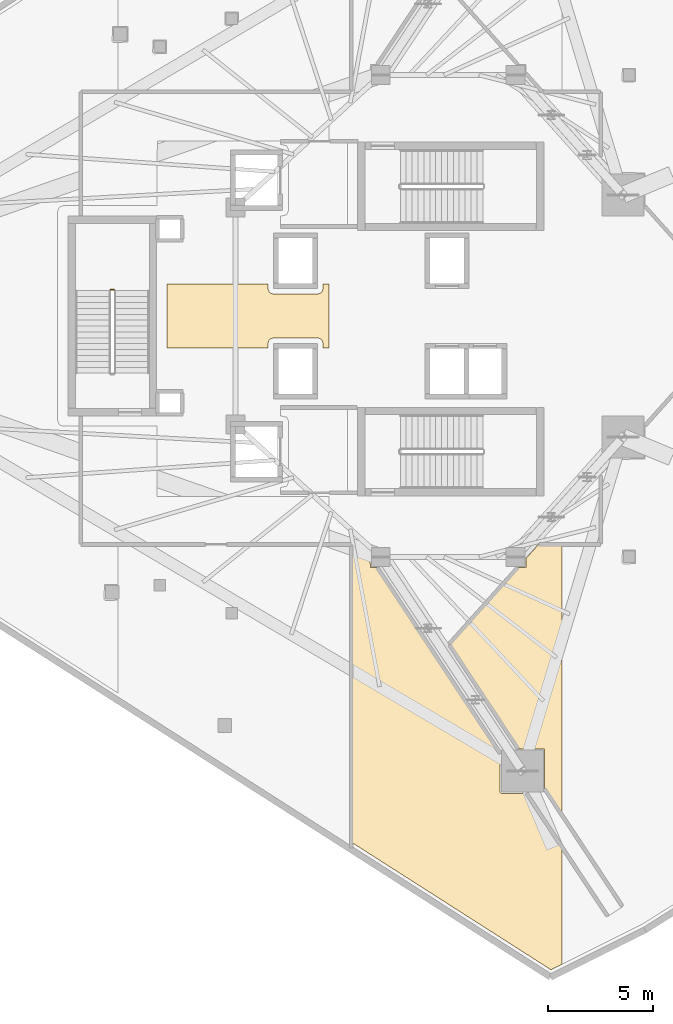
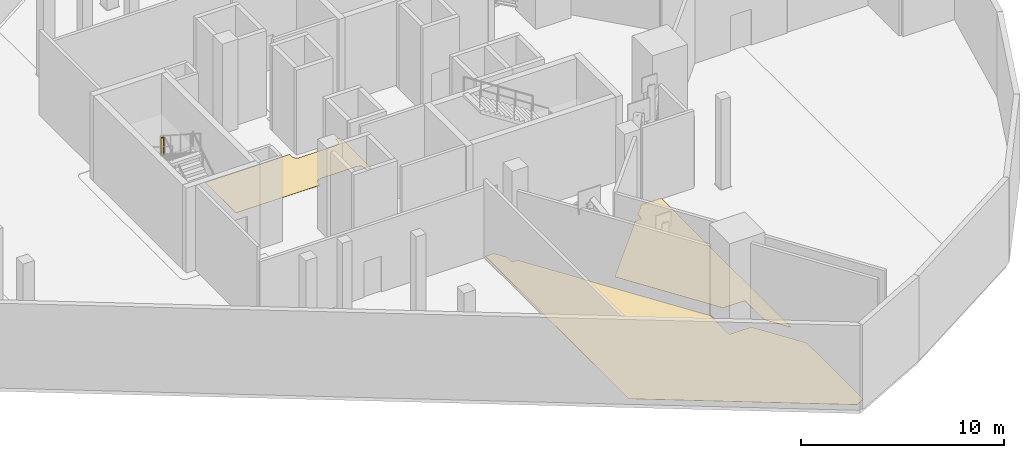
# One storey, part 10 of 13: 3 coverings, 1 railing.
"""IFC4 building model written with IfcOpenShell, lengths in metres."""

import ifcopenshell
import ifcopenshell.guid

model = None  # the IFC model being written
_history = None  # IfcOwnerHistory: only IFC2X3 demands one
_inside = {}  # id of a spatial element -> (the spatial element, [elements in it])
_under = {}  # id of a project, library or spatial element -> (it, [spatial elements below it])
_declared = {}  # id of a project -> (the project, [libraries it declares])
_typed = {}  # id of a type object -> (the type object, [elements of that type])
_made_of = {}  # id of a material, layer set ... -> (it, [elements and type objects made of it])


def new_model(schema):
    """Start an empty IFC model of exactly this schema.

    Asked for "IFC4X3", IfcOpenShell would pick the latest addendum, in which some entities
    have other attributes; the version numbers below select the first issue.
    IFC2X3 requires an IfcOwnerHistory on every rooted entity: one is made here for all.
    """
    global model, _history
    if schema == "IFC4X3":
        model = ifcopenshell.file(schema_version=(4, 3, 0, 0))
    else:
        model = ifcopenshell.file(schema=schema)
    _inside.clear()
    _under.clear()
    _declared.clear()
    _typed.clear()
    _made_of.clear()
    _history = None
    if model.schema == "IFC2X3":
        org = make("IfcOrganization", Name="unknown")
        user = make(
            "IfcPersonAndOrganization",
            ThePerson=make("IfcPerson", FamilyName="unknown"),
            TheOrganization=org,
        )
        app = make(
            "IfcApplication",
            ApplicationDeveloper=org,
            Version="unknown",
            ApplicationFullName="unknown",
            ApplicationIdentifier="unknown",
        )
        _history = make(
            "IfcOwnerHistory",
            OwningUser=user,
            OwningApplication=app,
            ChangeAction="ADDED",
            CreationDate=0,
        )
    return model


def make(cls, **values):
    """One entity of the class cls with the attributes given. An attribute that is None is left unset."""
    return model.create_entity(
        cls, **{name: value for name, value in values.items() if value is not None}
    )


def rooted(cls, **values):
    """An entity with a GlobalId (a new one), such as an element, a storey or a relation."""
    return make(cls, GlobalId=ifcopenshell.guid.new(), OwnerHistory=_history, **values)


def si_unit(unit_type, name, prefix=None):
    """IfcSIUnit, for example si_unit("LENGTHUNIT", "METRE", prefix="MILLI")."""
    return make("IfcSIUnit", UnitType=unit_type, Prefix=prefix, Name=name)


def assignment(units):
    """IfcUnitAssignment: the units of a project."""
    return None if units is None else make("IfcUnitAssignment", Units=units)


def point(xyz):
    """IfcCartesianPoint."""
    return None if xyz is None else make("IfcCartesianPoint", Coordinates=xyz)


def direction(xyz):
    """IfcDirection."""
    return None if xyz is None else make("IfcDirection", DirectionRatios=xyz)


def frame(location, z_axis=None, x_axis=None):
    """IfcAxis2Placement3D, a coordinate frame: its origin and axes. An axis left out is left unset."""
    return make(
        "IfcAxis2Placement3D",
        Location=point(location),
        Axis=direction(z_axis),
        RefDirection=direction(x_axis),
    )


def frame_2d(location, x_axis=None):
    """IfcAxis2Placement2D, a coordinate frame in the plane: its origin and x axis."""
    return make(
        "IfcAxis2Placement2D", Location=point(location), RefDirection=direction(x_axis)
    )


def origin():
    """The frame at (0, 0, 0) with its axes left unset."""
    return frame((0.0, 0.0, 0.0))


def origin_2d():
    """The frame at (0, 0) in the plane with its x axis left unset."""
    return frame_2d((0.0, 0.0))


def place(relative_to, where):
    """IfcLocalPlacement: puts the frame where relative to a parent placement (None: the world)."""
    return make(
        "IfcLocalPlacement", PlacementRelTo=relative_to, RelativePlacement=where
    )


def context(
    kind, dimensions, precision=None, world=None, true_north=None, identifier=None
):
    """IfcGeometricRepresentationContext, for example the 3D "Model" context."""
    return make(
        "IfcGeometricRepresentationContext",
        ContextIdentifier=identifier,
        ContextType=kind,
        CoordinateSpaceDimension=dimensions,
        Precision=precision,
        WorldCoordinateSystem=world,
        TrueNorth=true_north,
    )


def subcontext(parent, identifier, kind, view, scale=None):
    """IfcGeometricRepresentationSubContext, for example "Body" below "Model"."""
    return make(
        "IfcGeometricRepresentationSubContext",
        ContextIdentifier=identifier,
        ContextType=kind,
        ParentContext=parent,
        TargetScale=scale,
        TargetView=view,
    )


def project(units=None, contexts=None):
    """IfcProject with its units and contexts."""
    return rooted(
        "IfcProject",
        Name="project",
        RepresentationContexts=contexts,
        UnitsInContext=assignment(units),
    )


def spatial(cls, under=None, at=None, **own):
    """A site, building, storey or space (cls), placed at a placement, below another one or the project."""
    s = rooted(cls, ObjectPlacement=at, **own)
    if under is not None:
        _under.setdefault(under.id(), (under, []))[1].append(s)
    return s


def polyline(points):
    """IfcPolyline through the points."""
    return make("IfcPolyline", Points=[point(p) for p in points])


def profile(cls, at=None, kind="AREA", **sizes):
    """A parametric profile (cls). Its sizes go by their IFC names, for example OverallWidth=200.0."""
    return make(cls, ProfileType=kind, Position=at, **sizes)


def circle(**sizes):
    """IfcCircleProfileDef."""
    return profile("IfcCircleProfileDef", **sizes)


def outline(outer, holes=None, kind="AREA"):
    """IfcArbitraryClosedProfileDef: a profile drawn as a closed curve; with holes, ...WithVoids."""
    if holes is None:
        return make("IfcArbitraryClosedProfileDef", ProfileType=kind, OuterCurve=outer)
    return make(
        "IfcArbitraryProfileDefWithVoids",
        ProfileType=kind,
        OuterCurve=outer,
        InnerCurves=holes,
    )


def extrude(swept, where, along, depth):
    """IfcExtrudedAreaSolid: the profile swept, set in the frame where, extruded along a direction by depth."""
    return make(
        "IfcExtrudedAreaSolid",
        SweptArea=swept,
        Position=where,
        ExtrudedDirection=direction(along),
        Depth=depth,
    )


def shape(context_of_items, identifier, shape_type, items):
    """IfcShapeRepresentation: the items that make up one representation, for example the "Body"."""
    return make(
        "IfcShapeRepresentation",
        ContextOfItems=context_of_items,
        RepresentationIdentifier=identifier,
        RepresentationType=shape_type,
        Items=items,
    )


def material(Name=None, Category=None):
    """IfcMaterial."""
    return make("IfcMaterial", Name=Name, Category=Category)


def layer(
    of_material, thickness, ventilated=None, Name=None, Category=None, Priority=None
):
    """IfcMaterialLayer: one layer of a wall or slab, of a material (None: an air gap)."""
    return make(
        "IfcMaterialLayer",
        Material=of_material,
        LayerThickness=thickness,
        IsVentilated=ventilated,
        Name=Name,
        Category=Category,
        Priority=Priority,
    )


def layer_set(layers, Name=None):
    """IfcMaterialLayerSet."""
    return make("IfcMaterialLayerSet", MaterialLayers=layers, LayerSetName=Name)


def made_of(thing, what):
    """Note that an element or type object is made of a material, layer set ...; save() writes the relation."""
    if what is not None:
        _made_of.setdefault(what.id(), (what, []))[1].append(thing)
    return thing


def type_object(cls, material=None, **own):
    """A type object (cls), such as IfcWallType, which elements share."""
    return made_of(rooted(cls, **own), material)


def element(
    cls,
    number,
    at=None,
    inside=None,
    cuts=None,
    type_object=None,
    material=None,
    context=None,
    identifier="Body",
    shape_type=None,
    held_by="IfcProductDefinitionShape",
    body=None,
    shapes=None,
    **own,
):
    """One element of the class cls, such as IfcWall. Its Tag is "e" and its number.

    at: its placement. inside: the storey or other place that contains it. cuts: it is an
    opening in that element (IfcRelVoidsElement). A single representation is given by context,
    identifier, shape_type and body (its items); several are given by shapes. held_by: the class
    of the entity that holds the representations. save() writes the other relations.
    """
    e = rooted(cls, Tag="e%d" % number, ObjectPlacement=at, **own)
    if body is not None:
        shapes = [shape(context, identifier, shape_type, body)]
    if shapes is not None:
        e.Representation = make(held_by, Representations=shapes)
    if inside is not None:
        _inside.setdefault(inside.id(), (inside, []))[1].append(e)
    if cuts is not None:
        rooted(
            "IfcRelVoidsElement", RelatingBuildingElement=cuts, RelatedOpeningElement=e
        )
    if type_object is not None:
        _typed.setdefault(type_object.id(), (type_object, []))[1].append(e)
    return made_of(e, material)


def aggregate(whole, parts):
    """IfcRelAggregates: a whole, such as a stair, and the parts it consists of."""
    return rooted("IfcRelAggregates", RelatingObject=whole, RelatedObjects=parts)


def save(model, path):
    """Write the relations noted so far, then the file.

    IfcRelAggregates (storeys below a building ...), IfcRelContainedInSpatialStructure (elements
    in a storey), IfcRelDefinesByType, IfcRelAssociatesMaterial and IfcRelDeclares: one each for
    every whole, place, type object, material and project.
    """
    for whole, parts in _under.values():
        aggregate(whole, parts)
    for where, things in _inside.values():
        rooted(
            "IfcRelContainedInSpatialStructure",
            RelatedElements=things,
            RelatingStructure=where,
        )
    for kind, things in _typed.values():
        rooted("IfcRelDefinesByType", RelatedObjects=things, RelatingType=kind)
    for what, things in _made_of.values():
        rooted("IfcRelAssociatesMaterial", RelatedObjects=things, RelatingMaterial=what)
    for by, libraries in _declared.values():
        rooted("IfcRelDeclares", RelatingContext=by, RelatedDefinitions=libraries)
    model.write(path)


model = new_model("IFC4")

# Units and contexts
model_context = context("Model", 3, precision=1e-05, world=origin(), true_north=direction((0.0, 1.0)))
body_context = subcontext(model_context, "Body", "Model", "MODEL_VIEW")
ifc_project = project(units=[si_unit("LENGTHUNIT", "METRE"), si_unit("AREAUNIT", "SQUARE_METRE"), si_unit("VOLUMEUNIT", "CUBIC_METRE"), si_unit("PLANEANGLEUNIT", "RADIAN"), si_unit("MASSUNIT", "GRAM", prefix="KILO")], contexts=[model_context])

# Site, building, storey
site_placement = place(None, origin())
site = spatial("IfcSite", under=ifc_project, at=site_placement, CompositionType="ELEMENT")
building_placement = place(site_placement, origin())
building = spatial("IfcBuilding", under=site, at=building_placement, Name="Qorvath Tower", CompositionType="ELEMENT")
storey_placement = place(building_placement, frame((0.0, 0.0, 174.60009765625)))
storey = spatial("IfcBuildingStorey", under=building, at=storey_placement, Name="L40", CompositionType="ELEMENT", Elevation=174.60009765625)

# Coverings
ifc_material_1 = material(Name="Low-VOC modular carpet tile", Category="textile")
ifc_layer_1 = layer(ifc_material_1, 0.014892578125)
ifc_layer_set_1 = layer_set([ifc_layer_1], Name="COV-FLOOR-CPT")
covering_type_1 = type_object("IfcCoveringType", Name="COV-FLOOR-CPT", PredefinedType="FLOORING", material=ifc_layer_set_1)
covering_1_placement = place(storey_placement, origin())
element("IfcCovering", 1, at=covering_1_placement, inside=storey, type_object=covering_type_1, Name="L40 Floor Finish 012", PredefinedType="FLOORING", context=body_context, shape_type="SweptSolid", body=[
    extrude(outline(polyline([(-17.931640625, -22.627197265625), (-17.931640625, -20.79443359375), (-23.7724609375, -11.9599609375), (-24.092529296875, -11.9423828125), (-24.110107421875, -11.448974609375), (-24.49755859375, -10.863037109375), (-24.987060546875, -10.863037109375), (-24.987060546875, -25.012451171875), (-15.5078125, -31.07080078125), (-14.990966796875, -30.8125), (-14.990966796875, -25.242431640625), (-16.680419921875, -22.68701171875), (-17.87158203125, -22.68701171875), (-17.931640625, -22.627197265625)])), origin(), (0.0, 0.0, 1.0), 0.014892578125),
])
covering_2_placement = place(storey_placement, origin())
element("IfcCovering", 2, at=covering_2_placement, inside=storey, type_object=covering_type_1, Name="L40 Floor Finish 013", PredefinedType="FLOORING", context=body_context, shape_type="SweptSolid", body=[
    extrude(outline(polyline([(-14.990966796875, -23.703369140625), (-14.990966796875, -10.862548828125), (-16.10302734375, -10.863037109375), (-16.68994140625, -11.517822265625), (-16.70751953125, -11.9423828125), (-17.08642578125, -11.9599609375), (-20.34814453125, -15.597900390625), (-17.0625, -20.567138671875), (-15.829345703125, -20.584716796875), (-15.811767578125, -22.459716796875), (-14.990966796875, -23.703369140625)])), origin(), (0.0, 0.0, 1.0), 0.014892578125),
])
ifc_material_2 = material(Name="Polished epoxy terrazzo flooring", Category="concrete")
ifc_layer_2 = layer(ifc_material_2, 0.02001953125)
ifc_layer_set_2 = layer_set([ifc_layer_2], Name="COV-FLOOR-TRZ")
covering_type_2 = type_object("IfcCoveringType", Name="COV-FLOOR-TRZ", PredefinedType="FLOORING", material=ifc_layer_set_2)
covering_3_placement = place(storey_placement, origin())
element("IfcCovering", 3, at=covering_3_placement, inside=storey, type_object=covering_type_2, Name="L40 Floor Finish 005", PredefinedType="FLOORING", context=body_context, shape_type="SweptSolid", body=[
    extrude(outline(polyline([(-26.06494140625, -1.514892578125), (-26.06494140625, 1.514892578125), (-26.340087890625, 1.514892578125), (-26.340087890625, 1.2900390625), (-26.413330078125, 1.11328125), (-26.590087890625, 1.0400390625), (-28.7099609375, 1.0400390625), (-28.88671875, 1.11328125), (-28.9599609375, 1.2900390625), (-28.9599609375, 1.514892578125), (-33.760009765625, 1.514892578125), (-33.760009765625, -1.514892578125), (-28.9599609375, -1.514892578125), (-28.9599609375, -1.2900390625), (-28.88671875, -1.11328125), (-28.7099609375, -1.0400390625), (-26.590087890625, -1.0400390625), (-26.413330078125, -1.11328125), (-26.340087890625, -1.2900390625), (-26.340087890625, -1.514892578125), (-26.06494140625, -1.514892578125)])), origin(), (0.0, 0.0, 1.0), 0.014892578125),
])

# Railing
ifc_material_3 = material(Name="Painted galvanised steel", Category="steel")
railing_type = type_object("IfcRailingType", Name="RL-STR-GRD", PredefinedType="GUARDRAIL", material=ifc_material_3)
railing_placement = place(storey_placement, frame((-36.280029296875, 1.25, 2.699951171875)))
element("IfcRailing", 4, at=railing_placement, inside=storey, type_object=railing_type, Name="L40 TS3 stair guard 2", PredefinedType="GUARDRAIL", context=body_context, shape_type="SweptSolid", body=[
    extrude(circle(Radius=0.02392578125, at=origin_2d()), frame((0.0, 0.0, 1.076171875), z_axis=(-1.0, 0.0, 0.0), x_axis=(0.0, -1.0, 0.0)), (0.0, 0.0, 1.0), 0.14990234375),
    extrude(circle(Radius=0.02099609375, at=origin_2d()), origin(), (0.0, 0.0, 1.0), 1.052001953125),
    extrude(circle(Radius=0.02099609375, at=origin_2d()), frame((-0.14990234375, 0.0, 0.0)), (0.0, 0.0, 1.0), 1.052001953125),
])

save(model, "model.ifc")
